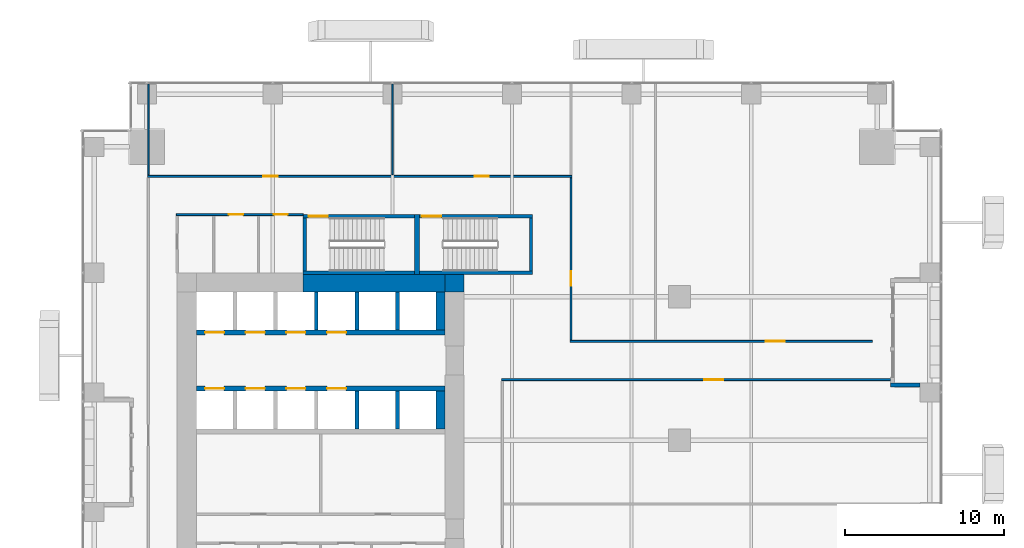
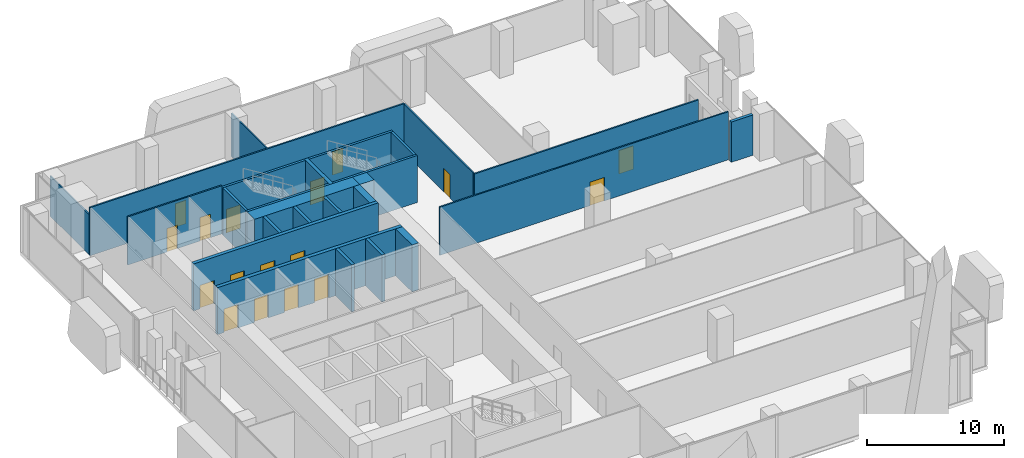
# One storey, part 29 of 35: 26 walls, 17 doors, 17 openings.
"""IFC4 building model written with IfcOpenShell, lengths in metres."""

import ifcopenshell
import ifcopenshell.guid

model = None  # the IFC model being written
_history = None  # IfcOwnerHistory: only IFC2X3 demands one
_inside = {}  # id of a spatial element -> (the spatial element, [elements in it])
_under = {}  # id of a project, library or spatial element -> (it, [spatial elements below it])
_declared = {}  # id of a project -> (the project, [libraries it declares])
_typed = {}  # id of a type object -> (the type object, [elements of that type])
_made_of = {}  # id of a material, layer set ... -> (it, [elements and type objects made of it])


def new_model(schema):
    """Start an empty IFC model of exactly this schema.

    Asked for "IFC4X3", IfcOpenShell would pick the latest addendum, in which some entities
    have other attributes; the version numbers below select the first issue.
    IFC2X3 requires an IfcOwnerHistory on every rooted entity: one is made here for all.
    """
    global model, _history
    if schema == "IFC4X3":
        model = ifcopenshell.file(schema_version=(4, 3, 0, 0))
    else:
        model = ifcopenshell.file(schema=schema)
    _inside.clear()
    _under.clear()
    _declared.clear()
    _typed.clear()
    _made_of.clear()
    _history = None
    if model.schema == "IFC2X3":
        org = make("IfcOrganization", Name="unknown")
        user = make(
            "IfcPersonAndOrganization",
            ThePerson=make("IfcPerson", FamilyName="unknown"),
            TheOrganization=org,
        )
        app = make(
            "IfcApplication",
            ApplicationDeveloper=org,
            Version="unknown",
            ApplicationFullName="unknown",
            ApplicationIdentifier="unknown",
        )
        _history = make(
            "IfcOwnerHistory",
            OwningUser=user,
            OwningApplication=app,
            ChangeAction="ADDED",
            CreationDate=0,
        )
    return model


def make(cls, **values):
    """One entity of the class cls with the attributes given. An attribute that is None is left unset."""
    return model.create_entity(
        cls, **{name: value for name, value in values.items() if value is not None}
    )


def rooted(cls, **values):
    """An entity with a GlobalId (a new one), such as an element, a storey or a relation."""
    return make(cls, GlobalId=ifcopenshell.guid.new(), OwnerHistory=_history, **values)


def si_unit(unit_type, name, prefix=None):
    """IfcSIUnit, for example si_unit("LENGTHUNIT", "METRE", prefix="MILLI")."""
    return make("IfcSIUnit", UnitType=unit_type, Prefix=prefix, Name=name)


def assignment(units):
    """IfcUnitAssignment: the units of a project."""
    return None if units is None else make("IfcUnitAssignment", Units=units)


def point(xyz):
    """IfcCartesianPoint."""
    return None if xyz is None else make("IfcCartesianPoint", Coordinates=xyz)


def direction(xyz):
    """IfcDirection."""
    return None if xyz is None else make("IfcDirection", DirectionRatios=xyz)


def frame(location, z_axis=None, x_axis=None):
    """IfcAxis2Placement3D, a coordinate frame: its origin and axes. An axis left out is left unset."""
    return make(
        "IfcAxis2Placement3D",
        Location=point(location),
        Axis=direction(z_axis),
        RefDirection=direction(x_axis),
    )


def frame_2d(location, x_axis=None):
    """IfcAxis2Placement2D, a coordinate frame in the plane: its origin and x axis."""
    return make(
        "IfcAxis2Placement2D", Location=point(location), RefDirection=direction(x_axis)
    )


def origin():
    """The frame at (0, 0, 0) with its axes left unset."""
    return frame((0.0, 0.0, 0.0))


def place(relative_to, where):
    """IfcLocalPlacement: puts the frame where relative to a parent placement (None: the world)."""
    return make(
        "IfcLocalPlacement", PlacementRelTo=relative_to, RelativePlacement=where
    )


def context(
    kind, dimensions, precision=None, world=None, true_north=None, identifier=None
):
    """IfcGeometricRepresentationContext, for example the 3D "Model" context."""
    return make(
        "IfcGeometricRepresentationContext",
        ContextIdentifier=identifier,
        ContextType=kind,
        CoordinateSpaceDimension=dimensions,
        Precision=precision,
        WorldCoordinateSystem=world,
        TrueNorth=true_north,
    )


def subcontext(parent, identifier, kind, view, scale=None):
    """IfcGeometricRepresentationSubContext, for example "Body" below "Model"."""
    return make(
        "IfcGeometricRepresentationSubContext",
        ContextIdentifier=identifier,
        ContextType=kind,
        ParentContext=parent,
        TargetScale=scale,
        TargetView=view,
    )


def project(units=None, contexts=None):
    """IfcProject with its units and contexts."""
    return rooted(
        "IfcProject",
        Name="project",
        RepresentationContexts=contexts,
        UnitsInContext=assignment(units),
    )


def spatial(cls, under=None, at=None, **own):
    """A site, building, storey or space (cls), placed at a placement, below another one or the project."""
    s = rooted(cls, ObjectPlacement=at, **own)
    if under is not None:
        _under.setdefault(under.id(), (under, []))[1].append(s)
    return s


def profile(cls, at=None, kind="AREA", **sizes):
    """A parametric profile (cls). Its sizes go by their IFC names, for example OverallWidth=200.0."""
    return make(cls, ProfileType=kind, Position=at, **sizes)


def rectangle(**sizes):
    """IfcRectangleProfileDef."""
    return profile("IfcRectangleProfileDef", **sizes)


def extrude(swept, where, along, depth):
    """IfcExtrudedAreaSolid: the profile swept, set in the frame where, extruded along a direction by depth."""
    return make(
        "IfcExtrudedAreaSolid",
        SweptArea=swept,
        Position=where,
        ExtrudedDirection=direction(along),
        Depth=depth,
    )


def shape(context_of_items, identifier, shape_type, items):
    """IfcShapeRepresentation: the items that make up one representation, for example the "Body"."""
    return make(
        "IfcShapeRepresentation",
        ContextOfItems=context_of_items,
        RepresentationIdentifier=identifier,
        RepresentationType=shape_type,
        Items=items,
    )


def source(mapping_origin, context_of_items, identifier, shape_type, items):
    """IfcRepresentationMap: a shape defined once, which mapped items show again and again."""
    return make(
        "IfcRepresentationMap",
        MappingOrigin=mapping_origin,
        MappedRepresentation=shape(context_of_items, identifier, shape_type, items),
    )


def transform(
    local_origin,
    x_axis=None,
    y_axis=None,
    z_axis=None,
    scale=None,
    scale2=None,
    scale3=None,
    uniform=True,
):
    """IfcCartesianTransformationOperator3D, or its non-uniform kind. x_axis, y_axis, z_axis: its Axis1, 2, 3."""
    if uniform:
        return make(
            "IfcCartesianTransformationOperator3D",
            Axis1=direction(x_axis),
            Axis2=direction(y_axis),
            LocalOrigin=point(local_origin),
            Scale=scale,
            Axis3=direction(z_axis),
        )
    return make(
        "IfcCartesianTransformationOperator3DnonUniform",
        Axis1=direction(x_axis),
        Axis2=direction(y_axis),
        LocalOrigin=point(local_origin),
        Scale=scale,
        Axis3=direction(z_axis),
        Scale2=scale2,
        Scale3=scale3,
    )


def mapped(mapping_source, mapping_target):
    """IfcMappedItem: shows the shape of a source again, moved by a transform."""
    return make(
        "IfcMappedItem", MappingSource=mapping_source, MappingTarget=mapping_target
    )


def material(Name=None, Category=None):
    """IfcMaterial."""
    return make("IfcMaterial", Name=Name, Category=Category)


def layer(
    of_material, thickness, ventilated=None, Name=None, Category=None, Priority=None
):
    """IfcMaterialLayer: one layer of a wall or slab, of a material (None: an air gap)."""
    return make(
        "IfcMaterialLayer",
        Material=of_material,
        LayerThickness=thickness,
        IsVentilated=ventilated,
        Name=Name,
        Category=Category,
        Priority=Priority,
    )


def layer_set(layers, Name=None):
    """IfcMaterialLayerSet."""
    return make("IfcMaterialLayerSet", MaterialLayers=layers, LayerSetName=Name)


def made_of(thing, what):
    """Note that an element or type object is made of a material, layer set ...; save() writes the relation."""
    if what is not None:
        _made_of.setdefault(what.id(), (what, []))[1].append(thing)
    return thing


def type_object(cls, material=None, **own):
    """A type object (cls), such as IfcWallType, which elements share."""
    return made_of(rooted(cls, **own), material)


def element(
    cls,
    number,
    at=None,
    inside=None,
    cuts=None,
    type_object=None,
    material=None,
    context=None,
    identifier="Body",
    shape_type=None,
    held_by="IfcProductDefinitionShape",
    body=None,
    shapes=None,
    **own,
):
    """One element of the class cls, such as IfcWall. Its Tag is "e" and its number.

    at: its placement. inside: the storey or other place that contains it. cuts: it is an
    opening in that element (IfcRelVoidsElement). A single representation is given by context,
    identifier, shape_type and body (its items); several are given by shapes. held_by: the class
    of the entity that holds the representations. save() writes the other relations.
    """
    e = rooted(cls, Tag="e%d" % number, ObjectPlacement=at, **own)
    if body is not None:
        shapes = [shape(context, identifier, shape_type, body)]
    if shapes is not None:
        e.Representation = make(held_by, Representations=shapes)
    if inside is not None:
        _inside.setdefault(inside.id(), (inside, []))[1].append(e)
    if cuts is not None:
        rooted(
            "IfcRelVoidsElement", RelatingBuildingElement=cuts, RelatedOpeningElement=e
        )
    if type_object is not None:
        _typed.setdefault(type_object.id(), (type_object, []))[1].append(e)
    return made_of(e, material)


def fill(opening, filler):
    """IfcRelFillsElement: the door or window that sits in an opening."""
    return rooted(
        "IfcRelFillsElement",
        RelatingOpeningElement=opening,
        RelatedBuildingElement=filler,
    )


def aggregate(whole, parts):
    """IfcRelAggregates: a whole, such as a stair, and the parts it consists of."""
    return rooted("IfcRelAggregates", RelatingObject=whole, RelatedObjects=parts)


def save(model, path):
    """Write the relations noted so far, then the file.

    IfcRelAggregates (storeys below a building ...), IfcRelContainedInSpatialStructure (elements
    in a storey), IfcRelDefinesByType, IfcRelAssociatesMaterial and IfcRelDeclares: one each for
    every whole, place, type object, material and project.
    """
    for whole, parts in _under.values():
        aggregate(whole, parts)
    for where, things in _inside.values():
        rooted(
            "IfcRelContainedInSpatialStructure",
            RelatedElements=things,
            RelatingStructure=where,
        )
    for kind, things in _typed.values():
        rooted("IfcRelDefinesByType", RelatedObjects=things, RelatingType=kind)
    for what, things in _made_of.values():
        rooted("IfcRelAssociatesMaterial", RelatedObjects=things, RelatingMaterial=what)
    for by, libraries in _declared.values():
        rooted("IfcRelDeclares", RelatingContext=by, RelatedDefinitions=libraries)
    model.write(path)


model = new_model("IFC4")

# Units and contexts
model_context = context("Model", 3, precision=1e-05, world=origin(), true_north=direction((0.0, 1.0)))
body_context = subcontext(model_context, "Body", "Model", "MODEL_VIEW")
ifc_project = project(units=[si_unit("LENGTHUNIT", "METRE"), si_unit("AREAUNIT", "SQUARE_METRE"), si_unit("VOLUMEUNIT", "CUBIC_METRE"), si_unit("PLANEANGLEUNIT", "RADIAN"), si_unit("MASSUNIT", "GRAM", prefix="KILO")], contexts=[model_context])

# Site, building, storey
site_placement = place(None, origin())
site = spatial("IfcSite", under=ifc_project, at=site_placement, CompositionType="ELEMENT")
building_placement = place(site_placement, origin())
building = spatial("IfcBuilding", under=site, at=building_placement, Name="Khomas Fold Tower", CompositionType="ELEMENT")
storey_placement = place(building_placement, frame((0.0, 0.0, 69.0)))
storey = spatial("IfcBuildingStorey", under=building, at=storey_placement, Name="L14", CompositionType="ELEMENT", Elevation=69.0)

# Walls
ifc_material_1 = material(Name="Concrete C70/85", Category="concrete")
ifc_layer_1 = layer(ifc_material_1, 1.10009765625)
ifc_layer_set_1 = layer_set([ifc_layer_1], Name="Concrete C70/85")
wall_type_1 = type_object("IfcWallType", Name="Core wall 1100", PredefinedType="SHEAR", material=ifc_layer_set_1)
shared_shape_1 = source(origin(), body_context, "Body", "SweptSolid", [
    extrude(rectangle(XDim=8.900146484375, YDim=1.10009765625, at=frame_2d((4.4501953125, 0.0))), origin(), (0.0, 0.0, 1.0), 4.199951171875),
])
wall_1_placement = place(storey_placement, frame((13.89990234375, 41.35009765625, 0.0), z_axis=(0.0, 0.0, 1.0), x_axis=(1.0, 0.0, 0.0)))
element("IfcWall", 1, at=wall_1_placement, inside=storey, type_object=wall_type_1, Name="Core wall CW-L-N-B2-1", PredefinedType="SHEAR", context=body_context, shape_type="MappedRepresentation", body=[
    mapped(shared_shape_1, transform((0.0, 0.0, 0.0))),
])
ifc_material_2 = material(Name="Concrete C70/85", Category="concrete")
ifc_layer_2 = layer(ifc_material_2, 1.10009765625)
ifc_layer_set_2 = layer_set([ifc_layer_2], Name="Concrete C70/85")
wall_type_2 = type_object("IfcWallType", Name="Core corner wall 1100", PredefinedType="SHEAR", material=ifc_layer_set_2)
shared_shape_2 = source(origin(), body_context, "Body", "SweptSolid", [
    extrude(rectangle(XDim=1.199951171875, YDim=1.10009765625, at=frame_2d((0.60009765625, 0.0))), origin(), (0.0, 0.0, 1.0), 4.199951171875),
])
wall_2_placement = place(storey_placement, frame((22.800048828125, 41.35009765625, 0.0), z_axis=(0.0, 0.0, 1.0), x_axis=(1.0, 0.0, 0.0)))
element("IfcWall", 2, at=wall_2_placement, inside=storey, type_object=wall_type_2, Name="Core wall CW-L-NE-B2", PredefinedType="SHEAR", context=body_context, shape_type="MappedRepresentation", body=[
    mapped(shared_shape_2, transform((0.0, 0.0, 0.0))),
])

# Wall, opening, door
ifc_material_3 = material(Name="Concrete C50/60", Category="concrete")
ifc_layer_3 = layer(ifc_material_3, 0.199951171875)
ifc_layer_set_3 = layer_set([ifc_layer_3], Name="Concrete C50/60")
wall_type_3 = type_object("IfcWallType", Name="Stair wall 200", PredefinedType="SHEAR", material=ifc_layer_set_3)
shared_shape_3 = source(origin(), body_context, "Body", "SweptSolid", [
    extrude(rectangle(XDim=7.0, YDim=0.199951171875, at=frame_2d((3.5, 0.0))), origin(), (0.0, 0.0, 1.0), 4.199951171875),
])
wall_3_placement = place(storey_placement, frame((13.89990234375, 45.550048828125, 0.0), z_axis=(0.0, 0.0, 1.0), x_axis=(1.0, 0.0, 0.0)))
wall_3 = element("IfcWall", 3, at=wall_3_placement, inside=storey, type_object=wall_type_3, Name="Stair wall SW-ST1-N", PredefinedType="SHEAR", context=body_context, shape_type="MappedRepresentation", body=[
    mapped(shared_shape_3, transform((0.0, 0.0, 0.0))),
])
shared_shape_4 = source(origin(), body_context, "Body", "SweptSolid", [
    extrude(rectangle(XDim=1.199951171875, YDim=2.10009765625, at=frame_2d((0.60009765625, 1.050048828125))), frame((0.0, 0.10986328125, 0.0), z_axis=(0.0, -1.0, 0.0), x_axis=(1.0, 0.0, 0.0)), (0.0, 0.0, 1.0), 0.219970703125),
])
opening_1_placement = place(wall_3_placement, frame((0.35009765625, 0.0, 0.0)))
opening_1 = element("IfcOpeningElement", 4, at=opening_1_placement, cuts=wall_3, Name="Opening SD-ST1", PredefinedType="OPENING", context=body_context, shape_type="MappedRepresentation", body=[
    mapped(shared_shape_4, transform((0.0, 0.0, 0.0))),
])
ifc_material_4 = material(Name="Steel door leaf", Category="steel")
door_type_1 = type_object("IfcDoorType", Name="Stair door 1200x2100 left-hand", OperationType="SINGLE_SWING_LEFT", PredefinedType="DOOR", material=ifc_material_4)
shared_shape_5 = source(origin(), body_context, "Body", "SweptSolid", [
    extrude(rectangle(XDim=1.199951171875, YDim=2.10009765625, at=frame_2d((0.60009765625, 1.050048828125))), frame((0.0, 0.02490234375, 0.0), z_axis=(0.0, -1.0, 0.0), x_axis=(1.0, 0.0, 0.0)), (0.0, 0.0, 1.0), 0.050048828125),
])
door_1_placement = place(opening_1_placement, origin())
door_1 = element("IfcDoor", 5, at=door_1_placement, inside=storey, type_object=door_type_1, Name="Stair door", OperationType="SINGLE_SWING_LEFT", OverallHeight=2.10009765625, OverallWidth=1.199951171875, PredefinedType="DOOR", context=body_context, shape_type="MappedRepresentation", body=[
    mapped(shared_shape_5, transform((0.0, 0.0, 0.0))),
])
fill(opening_1, door_1)

# Wall
wall_4_placement = place(storey_placement, frame((13.89990234375, 42.0, 0.0), z_axis=(0.0, 0.0, 1.0), x_axis=(1.0, 0.0, 0.0)))
element("IfcWall", 6, at=wall_4_placement, inside=storey, type_object=wall_type_3, Name="Stair wall SW-ST1-S", PredefinedType="SHEAR", context=body_context, shape_type="MappedRepresentation", body=[
    mapped(shared_shape_3, transform((0.0, 0.0, 0.0))),
])

# Wall, opening, door
shared_shape_6 = source(origin(), body_context, "Body", "SweptSolid", [
    extrude(rectangle(XDim=7.10009765625, YDim=0.199951171875, at=frame_2d((3.550048828125, 0.0))), origin(), (0.0, 0.0, 1.0), 4.199951171875),
])
wall_5_placement = place(storey_placement, frame((21.199951171875, 45.550048828125, 0.0), z_axis=(0.0, 0.0, 1.0), x_axis=(1.0, 0.0, 0.0)))
wall_5 = element("IfcWall", 7, at=wall_5_placement, inside=storey, type_object=wall_type_3, Name="Stair wall SW-ST3-N", PredefinedType="SHEAR", context=body_context, shape_type="MappedRepresentation", body=[
    mapped(shared_shape_6, transform((0.0, 0.0, 0.0))),
])
opening_2_placement = place(wall_5_placement, frame((0.14990234375, 0.0, 0.0)))
opening_2 = element("IfcOpeningElement", 8, at=opening_2_placement, cuts=wall_5, Name="Opening SD-ST3", PredefinedType="OPENING", context=body_context, shape_type="MappedRepresentation", body=[
    mapped(shared_shape_4, transform((0.0, 0.0, 0.0))),
])
door_2_placement = place(opening_2_placement, origin())
door_2 = element("IfcDoor", 9, at=door_2_placement, inside=storey, type_object=door_type_1, Name="Stair door", OperationType="SINGLE_SWING_LEFT", OverallHeight=2.10009765625, OverallWidth=1.199951171875, PredefinedType="DOOR", context=body_context, shape_type="MappedRepresentation", body=[
    mapped(shared_shape_5, transform((0.0, 0.0, 0.0))),
])
fill(opening_2, door_2)

# Walls
wall_6_placement = place(storey_placement, frame((21.199951171875, 42.0, 0.0), z_axis=(0.0, 0.0, 1.0), x_axis=(1.0, 0.0, 0.0)))
element("IfcWall", 10, at=wall_6_placement, inside=storey, type_object=wall_type_3, Name="Stair wall SW-ST3-S", PredefinedType="SHEAR", context=body_context, shape_type="MappedRepresentation", body=[
    mapped(shared_shape_6, transform((0.0, 0.0, 0.0))),
])
ifc_material_5 = material(Name="Concrete C50/60", Category="concrete")
ifc_layer_4 = layer(ifc_material_5, 0.300048828125)
ifc_layer_set_4 = layer_set([ifc_layer_4], Name="Concrete C50/60")
wall_type_4 = type_object("IfcWallType", Name="Stair wall 300", PredefinedType="SHEAR", material=ifc_layer_set_4)
shared_shape_7 = source(origin(), body_context, "Body", "SweptSolid", [
    extrude(rectangle(XDim=3.75, YDim=0.300048828125, at=frame_2d((1.875, 0.0))), origin(), (0.0, 0.0, 1.0), 4.199951171875),
])
wall_7_placement = place(storey_placement, frame((21.050048828125, 41.89990234375, 0.0), z_axis=(0.0, 0.0, 1.0), x_axis=(0.0, 1.0, 0.0)))
element("IfcWall", 11, at=wall_7_placement, inside=storey, type_object=wall_type_4, Name="Stair wall SW-ST1-E", PredefinedType="SHEAR", context=body_context, shape_type="MappedRepresentation", body=[
    mapped(shared_shape_7, transform((0.0, 0.0, 0.0))),
])
shared_shape_8 = source(origin(), body_context, "Body", "SweptSolid", [
    extrude(rectangle(XDim=3.349853515625, YDim=0.199951171875, at=frame_2d((1.6748046875, 0.0))), origin(), (0.0, 0.0, 1.0), 4.199951171875),
])
for number, where, z_axis, x_axis, name in (
    (12, (14.0, 42.10009765625, 0.0), (0.0, 0.0, 1.0), (0.0, 1.0, 0.0), "Stair wall SW-ST1-W"),
    (13, (28.199951171875, 42.10009765625, 0.0), (0.0, 0.0, 1.0), (0.0, 1.0, 0.0), "Stair wall SW-ST3-E"),
):
    element("IfcWall", number, at=place(storey_placement, frame(where, z_axis=z_axis, x_axis=x_axis)), inside=storey, type_object=wall_type_3, Name=name, PredefinedType="SHEAR", context=body_context, shape_type="MappedRepresentation", body=[
        mapped(shared_shape_8, transform((0.0, 0.0, 0.0))),
    ])

# Wall, openings, doors
ifc_material_6 = material(Name="Concrete C50/60", Category="concrete")
ifc_layer_5 = layer(ifc_material_6, 0.300048828125)
ifc_layer_set_5 = layer_set([ifc_layer_5], Name="Concrete C50/60")
wall_type_5 = type_object("IfcWallType", Name="Shaft wall 300", PredefinedType="STANDARD", material=ifc_layer_set_5)
shared_shape_9 = source(origin(), body_context, "Body", "SweptSolid", [
    extrude(rectangle(XDim=15.60009765625, YDim=0.300048828125, at=frame_2d((7.800048828125, 0.0))), origin(), (0.0, 0.0, 1.0), 4.199951171875),
])
wall_8_placement = place(storey_placement, frame((7.199951171875, 38.25, 0.0), z_axis=(0.0, 0.0, 1.0), x_axis=(1.0, 0.0, 0.0)))
wall_8 = element("IfcWall", 14, at=wall_8_placement, inside=storey, type_object=wall_type_5, Name="Core wall SW-LRN-F", PredefinedType="STANDARD", context=body_context, shape_type="MappedRepresentation", body=[
    mapped(shared_shape_9, transform((0.0, 0.0, 0.0))),
])
shared_shape_10 = source(origin(), body_context, "Body", "SweptSolid", [
    extrude(rectangle(XDim=1.199951171875, YDim=2.10009765625, at=frame_2d((0.60009765625, 1.050048828125))), frame((0.0, 0.159912109375, 0.0), z_axis=(0.0, -1.0, 0.0), x_axis=(1.0, 0.0, 0.0)), (0.0, 0.0, 1.0), 0.320068359375),
])
opening_3_placement = place(wall_8_placement, frame((0.550048828125, 0.0, 0.0)))
opening_3 = element("IfcOpeningElement", 15, at=opening_3_placement, cuts=wall_8, Name="Opening LD-LR5", PredefinedType="OPENING", context=body_context, shape_type="MappedRepresentation", body=[
    mapped(shared_shape_10, transform((0.0, 0.0, 0.0))),
])
opening_4_placement = place(wall_8_placement, frame((3.10009765625, 0.0, 0.0)))
opening_4 = element("IfcOpeningElement", 16, at=opening_4_placement, cuts=wall_8, Name="Opening LD-LR6", PredefinedType="OPENING", context=body_context, shape_type="MappedRepresentation", body=[
    mapped(shared_shape_10, transform((0.0, 0.0, 0.0))),
])
opening_5_placement = place(wall_8_placement, frame((5.64990234375, 0.0, 0.0)))
opening_5 = element("IfcOpeningElement", 17, at=opening_5_placement, cuts=wall_8, Name="Opening LD-LR7", PredefinedType="OPENING", context=body_context, shape_type="MappedRepresentation", body=[
    mapped(shared_shape_10, transform((0.0, 0.0, 0.0))),
])
opening_6_placement = place(wall_8_placement, frame((8.199951171875, 0.0, 0.0)))
opening_6 = element("IfcOpeningElement", 18, at=opening_6_placement, cuts=wall_8, Name="Opening LD-LR8", PredefinedType="OPENING", context=body_context, shape_type="MappedRepresentation", body=[
    mapped(shared_shape_10, transform((0.0, 0.0, 0.0))),
])
ifc_material_7 = material(Name="Steel door leaf", Category="steel")
door_type_2 = type_object("IfcDoorType", Name="Landing door 1200x2100", OperationType="DOUBLE_DOOR_SLIDING", PredefinedType="DOOR", material=ifc_material_7)
door_3_placement = place(opening_3_placement, origin())
door_3 = element("IfcDoor", 19, at=door_3_placement, inside=storey, type_object=door_type_2, Name="Lift landing door", OperationType="DOUBLE_DOOR_SLIDING", OverallHeight=2.10009765625, OverallWidth=1.199951171875, PredefinedType="DOOR", context=body_context, shape_type="MappedRepresentation", body=[
    mapped(shared_shape_5, transform((0.0, 0.0, 0.0))),
])
fill(opening_3, door_3)
door_4_placement = place(opening_4_placement, origin())
door_4 = element("IfcDoor", 20, at=door_4_placement, inside=storey, type_object=door_type_2, Name="Lift landing door", OperationType="DOUBLE_DOOR_SLIDING", OverallHeight=2.10009765625, OverallWidth=1.199951171875, PredefinedType="DOOR", context=body_context, shape_type="MappedRepresentation", body=[
    mapped(shared_shape_5, transform((0.0, 0.0, 0.0))),
])
fill(opening_4, door_4)
door_5_placement = place(opening_5_placement, origin())
door_5 = element("IfcDoor", 21, at=door_5_placement, inside=storey, type_object=door_type_2, Name="Lift landing door", OperationType="DOUBLE_DOOR_SLIDING", OverallHeight=2.10009765625, OverallWidth=1.199951171875, PredefinedType="DOOR", context=body_context, shape_type="MappedRepresentation", body=[
    mapped(shared_shape_5, transform((0.0, 0.0, 0.0))),
])
fill(opening_5, door_5)
door_6_placement = place(opening_6_placement, origin())
door_6 = element("IfcDoor", 22, at=door_6_placement, inside=storey, type_object=door_type_2, Name="Lift landing door", OperationType="DOUBLE_DOOR_SLIDING", OverallHeight=2.10009765625, OverallWidth=1.199951171875, PredefinedType="DOOR", context=body_context, shape_type="MappedRepresentation", body=[
    mapped(shared_shape_5, transform((0.0, 0.0, 0.0))),
])
fill(opening_6, door_6)

wall_9_placement = place(storey_placement, frame((7.199951171875, 34.75, 0.0), z_axis=(0.0, 0.0, 1.0), x_axis=(1.0, 0.0, 0.0)))
wall_9 = element("IfcWall", 23, at=wall_9_placement, inside=storey, type_object=wall_type_5, Name="Core wall SW-LRS-F", PredefinedType="STANDARD", context=body_context, shape_type="MappedRepresentation", body=[
    mapped(shared_shape_9, transform((0.0, 0.0, 0.0))),
])
opening_7_placement = place(wall_9_placement, frame((0.550048828125, 0.0, 0.0)))
opening_7 = element("IfcOpeningElement", 24, at=opening_7_placement, cuts=wall_9, Name="Opening LD-LR1", PredefinedType="OPENING", context=body_context, shape_type="MappedRepresentation", body=[
    mapped(shared_shape_10, transform((0.0, 0.0, 0.0))),
])
opening_8_placement = place(wall_9_placement, frame((3.10009765625, 0.0, 0.0)))
opening_8 = element("IfcOpeningElement", 25, at=opening_8_placement, cuts=wall_9, Name="Opening LD-LR2", PredefinedType="OPENING", context=body_context, shape_type="MappedRepresentation", body=[
    mapped(shared_shape_10, transform((0.0, 0.0, 0.0))),
])
opening_9_placement = place(wall_9_placement, frame((5.64990234375, 0.0, 0.0)))
opening_9 = element("IfcOpeningElement", 26, at=opening_9_placement, cuts=wall_9, Name="Opening LD-LR3", PredefinedType="OPENING", context=body_context, shape_type="MappedRepresentation", body=[
    mapped(shared_shape_10, transform((0.0, 0.0, 0.0))),
])
opening_10_placement = place(wall_9_placement, frame((8.199951171875, 0.0, 0.0)))
opening_10 = element("IfcOpeningElement", 27, at=opening_10_placement, cuts=wall_9, Name="Opening LD-LR4", PredefinedType="OPENING", context=body_context, shape_type="MappedRepresentation", body=[
    mapped(shared_shape_10, transform((0.0, 0.0, 0.0))),
])
door_7_placement = place(opening_7_placement, origin())
door_7 = element("IfcDoor", 28, at=door_7_placement, inside=storey, type_object=door_type_2, Name="Lift landing door", OperationType="DOUBLE_DOOR_SLIDING", OverallHeight=2.10009765625, OverallWidth=1.199951171875, PredefinedType="DOOR", context=body_context, shape_type="MappedRepresentation", body=[
    mapped(shared_shape_5, transform((0.0, 0.0, 0.0))),
])
fill(opening_7, door_7)
door_8_placement = place(opening_8_placement, origin())
door_8 = element("IfcDoor", 29, at=door_8_placement, inside=storey, type_object=door_type_2, Name="Lift landing door", OperationType="DOUBLE_DOOR_SLIDING", OverallHeight=2.10009765625, OverallWidth=1.199951171875, PredefinedType="DOOR", context=body_context, shape_type="MappedRepresentation", body=[
    mapped(shared_shape_5, transform((0.0, 0.0, 0.0))),
])
fill(opening_8, door_8)
door_9_placement = place(opening_9_placement, origin())
door_9 = element("IfcDoor", 30, at=door_9_placement, inside=storey, type_object=door_type_2, Name="Lift landing door", OperationType="DOUBLE_DOOR_SLIDING", OverallHeight=2.10009765625, OverallWidth=1.199951171875, PredefinedType="DOOR", context=body_context, shape_type="MappedRepresentation", body=[
    mapped(shared_shape_5, transform((0.0, 0.0, 0.0))),
])
fill(opening_9, door_9)
door_10_placement = place(opening_10_placement, origin())
door_10 = element("IfcDoor", 31, at=door_10_placement, inside=storey, type_object=door_type_2, Name="Lift landing door", OperationType="DOUBLE_DOOR_SLIDING", OverallHeight=2.10009765625, OverallWidth=1.199951171875, PredefinedType="DOOR", context=body_context, shape_type="MappedRepresentation", body=[
    mapped(shared_shape_5, transform((0.0, 0.0, 0.0))),
])
fill(opening_10, door_10)

# Walls
ifc_material_8 = material(Name="Concrete C50/60", Category="concrete")
ifc_layer_6 = layer(ifc_material_8, 0.25)
ifc_layer_set_6 = layer_set([ifc_layer_6], Name="Concrete C50/60")
wall_type_6 = type_object("IfcWallType", Name="Shaft wall 250", PredefinedType="STANDARD", material=ifc_layer_set_6)
shared_shape_11 = source(origin(), body_context, "Body", "SweptSolid", [
    extrude(rectangle(XDim=2.400146484375, YDim=0.25, at=frame_2d((1.2001953125, 0.0))), origin(), (0.0, 0.0, 1.0), 4.199951171875),
])
for number, where, z_axis, x_axis, name in (
    (32, (14.72509765625, 38.39990234375, 0.0), (0.0, 0.0, 1.0), (0.0, 1.0, 0.0), "Core wall SW-LRN-P3"),
    (33, (17.27490234375, 38.39990234375, 0.0), (0.0, 0.0, 1.0), (0.0, 1.0, 0.0), "Core wall SW-LRN-P4"),
    (34, (19.824951171875, 38.39990234375, 0.0), (0.0, 0.0, 1.0), (0.0, 1.0, 0.0), "Core wall SW-LRN-P5"),
    (35, (17.27490234375, 32.199951171875, 0.0), (0.0, 0.0, 1.0), (0.0, 1.0, 0.0), "Core wall SW-LRS-P4"),
    (36, (19.824951171875, 32.199951171875, 0.0), (0.0, 0.0, 1.0), (0.0, 1.0, 0.0), "Core wall SW-LRS-P5"),
):
    element("IfcWall", number, at=place(storey_placement, frame(where, z_axis=z_axis, x_axis=x_axis)), inside=storey, type_object=wall_type_6, Name=name, PredefinedType="STANDARD", context=body_context, shape_type="MappedRepresentation", body=[
        mapped(shared_shape_11, transform((0.0, 0.0, 0.0))),
    ])
ifc_material_9 = material(Name="Concrete C50/60", Category="concrete")
ifc_layer_7 = layer(ifc_material_9, 0.550048828125)
ifc_layer_set_7 = layer_set([ifc_layer_7], Name="Concrete C50/60")
wall_type_7 = type_object("IfcWallType", Name="Shaft wall 550", PredefinedType="STANDARD", material=ifc_layer_set_7)
shared_shape_12 = source(origin(), body_context, "Body", "SweptSolid", [
    extrude(rectangle(XDim=2.400146484375, YDim=0.550048828125, at=frame_2d((1.2001953125, 0.0))), origin(), (0.0, 0.0, 1.0), 4.199951171875),
])
for number, where, z_axis, x_axis, name in (
    (37, (22.52490234375, 38.39990234375, 0.0), (0.0, 0.0, 1.0), (0.0, 1.0, 0.0), "Core wall SW-LRN-PE"),
    (38, (22.52490234375, 32.199951171875, 0.0), (0.0, 0.0, 1.0), (0.0, 1.0, 0.0), "Core wall SW-LRS-PE"),
):
    element("IfcWall", number, at=place(storey_placement, frame(where, z_axis=z_axis, x_axis=x_axis)), inside=storey, type_object=wall_type_7, Name=name, PredefinedType="STANDARD", context=body_context, shape_type="MappedRepresentation", body=[
        mapped(shared_shape_12, transform((0.0, 0.0, 0.0))),
    ])
ifc_material_10 = material(Name="Natural stone", Category="masonry")
ifc_layer_8 = layer(ifc_material_10, 0.0400390625)
ifc_material_11 = material(Name="Mineral wool insulation", Category="insulation")
ifc_layer_9 = layer(ifc_material_11, 0.10009765625)
ifc_material_12 = material(Name="Masonry", Category="masonry")
ifc_layer_10 = layer(ifc_material_12, 0.110107421875)
ifc_layer_set_8 = layer_set([ifc_layer_8, ifc_layer_9, ifc_layer_10], Name="Stone-faced insulated masonry")
wall_type_8 = type_object("IfcWallType", Name="BL-Balcony wall", PredefinedType="SOLIDWALL", material=ifc_layer_set_8)
shared_shape_13 = source(origin(), body_context, "Body", "SweptSolid", [
    extrude(rectangle(XDim=1.85009765625, YDim=0.25, at=frame_2d((0.925048828125, 0.0))), origin(), (0.0, 0.0, 1.0), 3.60009765625),
])
wall_10_placement = place(storey_placement, frame((52.60009765625, 34.97509765625, 0.0), z_axis=(0.0, 0.0, 1.0), x_axis=(-1.0, 0.0, 0.0)))
element("IfcWall", 39, at=wall_10_placement, inside=storey, type_object=wall_type_8, Name="Balcony return wall BAL-L14-E4-lo", PredefinedType="SOLIDWALL", context=body_context, shape_type="MappedRepresentation", body=[
    mapped(shared_shape_13, transform((0.0, 0.0, 0.0))),
])

# Wall, opening, door
ifc_material_13 = material(Name="Plasterboard partition")
ifc_layer_11 = layer(ifc_material_13, 0.125)
ifc_layer_set_9 = layer_set([ifc_layer_11], Name="Plasterboard partition")
wall_type_9 = type_object("IfcWallType", Name="Partition PW2 125", PredefinedType="PARTITIONING", material=ifc_layer_set_9)
shared_shape_14 = source(origin(), body_context, "Body", "SweptSolid", [
    extrude(rectangle(XDim=10.14990234375, YDim=0.125, at=frame_2d((5.074951171875, 0.0))), origin(), (0.0, 0.0, 1.0), 4.300048828125),
])
wall_11_placement = place(storey_placement, frame((30.699951171875, 37.800048828125, 0.0), z_axis=(0.0, 0.0, 1.0), x_axis=(0.0, 1.0, 0.0)))
wall_11 = element("IfcWall", 40, at=wall_11_placement, inside=storey, type_object=wall_type_9, Name="Partition", PredefinedType="PARTITIONING", context=body_context, shape_type="MappedRepresentation", body=[
    mapped(shared_shape_14, transform((0.0, 0.0, 0.0))),
])
shared_shape_15 = source(origin(), body_context, "Body", "SweptSolid", [
    extrude(rectangle(XDim=0.89990234375, YDim=2.10009765625, at=frame_2d((0.449951171875, 1.050048828125))), frame((0.0, 0.072509765625, 0.0), z_axis=(0.0, -1.0, 0.0), x_axis=(1.0, 0.0, 0.0)), (0.0, 0.0, 1.0), 0.14501953125),
])
opening_11_placement = place(wall_11_placement, frame((3.39990234375, 0.0, 0.0)))
opening_11 = element("IfcOpeningElement", 41, at=opening_11_placement, cuts=wall_11, Name="Opening 0007", PredefinedType="OPENING", context=body_context, shape_type="MappedRepresentation", body=[
    mapped(shared_shape_15, transform((0.0, 0.0, 0.0))),
])
ifc_material_14 = material(Name="Timber door leaf", Category="wood")
door_type_3 = type_object("IfcDoorType", Name="Door 900x2100 left-hand", OperationType="SINGLE_SWING_LEFT", PredefinedType="DOOR", material=ifc_material_14)
shared_shape_16 = source(origin(), body_context, "Body", "SweptSolid", [
    extrude(rectangle(XDim=0.89990234375, YDim=2.10009765625, at=frame_2d((0.449951171875, 1.050048828125))), frame((0.0, 0.02490234375, 0.0), z_axis=(0.0, -1.0, 0.0), x_axis=(1.0, 0.0, 0.0)), (0.0, 0.0, 1.0), 0.050048828125),
])
door_11_placement = place(opening_11_placement, origin())
door_11 = element("IfcDoor", 42, at=door_11_placement, inside=storey, type_object=door_type_3, Name="Door", OperationType="SINGLE_SWING_LEFT", OverallHeight=2.10009765625, OverallWidth=0.89990234375, PredefinedType="DOOR", context=body_context, shape_type="MappedRepresentation", body=[
    mapped(shared_shape_16, transform((0.0, 0.0, 0.0))),
])
fill(opening_11, door_11)

# Wall, openings, doors
shared_shape_17 = source(origin(), body_context, "Body", "SweptSolid", [
    extrude(rectangle(XDim=7.949951171875, YDim=0.125, at=frame_2d((3.97509765625, 0.0))), origin(), (0.0, 0.0, 1.0), 4.300048828125),
])
wall_12_placement = place(storey_placement, frame((5.949951171875, 45.64990234375, 0.0), z_axis=(0.0, 0.0, 1.0), x_axis=(1.0, 0.0, 0.0)))
wall_12 = element("IfcWall", 43, at=wall_12_placement, inside=storey, type_object=wall_type_9, Name="Partition", PredefinedType="PARTITIONING", context=body_context, shape_type="MappedRepresentation", body=[
    mapped(shared_shape_17, transform((0.0, 0.0, 0.0))),
])
opening_12_placement = place(wall_12_placement, frame((3.300048828125, 0.0, 0.0)))
opening_12 = element("IfcOpeningElement", 44, at=opening_12_placement, cuts=wall_12, Name="Opening 0007", PredefinedType="OPENING", context=body_context, shape_type="MappedRepresentation", body=[
    mapped(shared_shape_15, transform((0.0, 0.0, 0.0))),
])
opening_13_placement = place(wall_12_placement, frame((6.10009765625, 0.0, 0.0)))
opening_13 = element("IfcOpeningElement", 45, at=opening_13_placement, cuts=wall_12, Name="Opening 0008", PredefinedType="OPENING", context=body_context, shape_type="MappedRepresentation", body=[
    mapped(shared_shape_15, transform((0.0, 0.0, 0.0))),
])
door_12_placement = place(opening_12_placement, origin())
door_12 = element("IfcDoor", 46, at=door_12_placement, inside=storey, type_object=door_type_3, Name="Door", OperationType="SINGLE_SWING_LEFT", OverallHeight=2.10009765625, OverallWidth=0.89990234375, PredefinedType="DOOR", context=body_context, shape_type="MappedRepresentation", body=[
    mapped(shared_shape_16, transform((0.0, 0.0, 0.0))),
])
fill(opening_12, door_12)
ifc_material_15 = material(Name="Timber door leaf", Category="wood")
door_type_4 = type_object("IfcDoorType", Name="Door 900x2100 right-hand", OperationType="SINGLE_SWING_RIGHT", PredefinedType="DOOR", material=ifc_material_15)
door_13_placement = place(opening_13_placement, origin())
door_13 = element("IfcDoor", 47, at=door_13_placement, inside=storey, type_object=door_type_4, Name="Door", OperationType="SINGLE_SWING_RIGHT", OverallHeight=2.10009765625, OverallWidth=0.89990234375, PredefinedType="DOOR", context=body_context, shape_type="MappedRepresentation", body=[
    mapped(shared_shape_16, transform((0.0, 0.0, 0.0))),
])
fill(opening_13, door_13)

# Wall
ifc_material_16 = material(Name="Plasterboard partition")
ifc_layer_12 = layer(ifc_material_16, 0.10009765625)
ifc_layer_set_10 = layer_set([ifc_layer_12], Name="Plasterboard partition")
wall_type_10 = type_object("IfcWallType", Name="Partition PW1 100", PredefinedType="PARTITIONING", material=ifc_layer_set_10)
shared_shape_18 = source(origin(), body_context, "Body", "SweptSolid", [
    extrude(rectangle(XDim=5.7001953125, YDim=0.10009765625, at=frame_2d((2.85009765625, 0.0))), origin(), (0.0, 0.0, 1.0), 3.840087890625),
])
wall_13_placement = place(storey_placement, frame((19.5, 48.14990234375, 0.0), z_axis=(0.0, 0.0, 1.0), x_axis=(0.0, 1.0, 0.0)))
element("IfcWall", 48, at=wall_13_placement, inside=storey, type_object=wall_type_10, Name="Partition", PredefinedType="PARTITIONING", context=body_context, shape_type="MappedRepresentation", body=[
    mapped(shared_shape_18, transform((0.0, 0.0, 0.0))),
])

# Wall, openings, doors
shared_shape_19 = source(origin(), body_context, "Body", "SweptSolid", [
    extrude(rectangle(XDim=26.60009765625, YDim=0.125, at=frame_2d((13.300048828125, 0.0))), origin(), (0.0, 0.0, 1.0), 4.300048828125),
])
wall_14_placement = place(storey_placement, frame((4.14990234375, 48.050048828125, 0.0), z_axis=(0.0, 0.0, 1.0), x_axis=(1.0, 0.0, 0.0)))
wall_14 = element("IfcWall", 49, at=wall_14_placement, inside=storey, type_object=wall_type_9, Name="Partition", PredefinedType="PARTITIONING", context=body_context, shape_type="MappedRepresentation", body=[
    mapped(shared_shape_19, transform((0.0, 0.0, 0.0))),
])
opening_14_placement = place(wall_14_placement, frame((7.25, 0.0, 0.0)))
opening_14 = element("IfcOpeningElement", 50, at=opening_14_placement, cuts=wall_14, Name="Opening 0007", PredefinedType="OPENING", context=body_context, shape_type="MappedRepresentation", body=[
    mapped(shared_shape_15, transform((0.0, 0.0, 0.0))),
])
opening_15_placement = place(wall_14_placement, frame((20.5, 0.0, 0.0)))
opening_15 = element("IfcOpeningElement", 51, at=opening_15_placement, cuts=wall_14, Name="Opening 0008", PredefinedType="OPENING", context=body_context, shape_type="MappedRepresentation", body=[
    mapped(shared_shape_15, transform((0.0, 0.0, 0.0))),
])
door_14_placement = place(opening_14_placement, origin())
door_14 = element("IfcDoor", 52, at=door_14_placement, inside=storey, type_object=door_type_3, Name="Door", OperationType="SINGLE_SWING_LEFT", OverallHeight=2.10009765625, OverallWidth=0.89990234375, PredefinedType="DOOR", context=body_context, shape_type="MappedRepresentation", body=[
    mapped(shared_shape_16, transform((0.0, 0.0, 0.0))),
])
fill(opening_14, door_14)
door_15_placement = place(opening_15_placement, origin())
door_15 = element("IfcDoor", 53, at=door_15_placement, inside=storey, type_object=door_type_4, Name="Door", OperationType="SINGLE_SWING_RIGHT", OverallHeight=2.10009765625, OverallWidth=0.89990234375, PredefinedType="DOOR", context=body_context, shape_type="MappedRepresentation", body=[
    mapped(shared_shape_16, transform((0.0, 0.0, 0.0))),
])
fill(opening_15, door_15)

# Wall
shared_shape_20 = source(origin(), body_context, "Body", "SweptSolid", [
    extrude(rectangle(XDim=5.7001953125, YDim=0.10009765625, at=frame_2d((2.85009765625, 0.0))), origin(), (0.0, 0.0, 1.0), 3.60009765625),
])
wall_15_placement = place(storey_placement, frame((4.199951171875, 48.14990234375, 0.0), z_axis=(0.0, 0.0, 1.0), x_axis=(0.0, 1.0, 0.0)))
element("IfcWall", 54, at=wall_15_placement, inside=storey, type_object=wall_type_10, Name="Partition", PredefinedType="PARTITIONING", context=body_context, shape_type="MappedRepresentation", body=[
    mapped(shared_shape_20, transform((0.0, 0.0, 0.0))),
])

# Wall, opening, door
shared_shape_21 = source(origin(), body_context, "Body", "SweptSolid", [
    extrude(rectangle(XDim=24.39990234375, YDim=0.125, at=frame_2d((12.199951171875, 0.0))), origin(), (0.0, 0.0, 1.0), 4.300048828125),
])
wall_16_placement = place(storey_placement, frame((26.35009765625, 35.300048828125, 0.0), z_axis=(0.0, 0.0, 1.0), x_axis=(1.0, 0.0, 0.0)))
wall_16 = element("IfcWall", 55, at=wall_16_placement, inside=storey, type_object=wall_type_9, Name="Partition", PredefinedType="PARTITIONING", context=body_context, shape_type="MappedRepresentation", body=[
    mapped(shared_shape_21, transform((0.0, 0.0, 0.0))),
])
shared_shape_22 = source(origin(), body_context, "Body", "SweptSolid", [
    extrude(rectangle(XDim=1.199951171875, YDim=2.10009765625, at=frame_2d((0.60009765625, 1.050048828125))), frame((0.0, 0.072509765625, 0.0), z_axis=(0.0, -1.0, 0.0), x_axis=(1.0, 0.0, 0.0)), (0.0, 0.0, 1.0), 0.14501953125),
])
opening_16_placement = place(wall_16_placement, frame((12.699951171875, 0.0, 0.0)))
opening_16 = element("IfcOpeningElement", 56, at=opening_16_placement, cuts=wall_16, Name="Opening 0013", PredefinedType="OPENING", context=body_context, shape_type="MappedRepresentation", body=[
    mapped(shared_shape_22, transform((0.0, 0.0, 0.0))),
])
ifc_material_17 = material(Name="Timber door leaf", Category="wood")
door_type_5 = type_object("IfcDoorType", Name="Door 1200x2100 left-hand", OperationType="SINGLE_SWING_LEFT", PredefinedType="DOOR", material=ifc_material_17)
door_16_placement = place(opening_16_placement, origin())
door_16 = element("IfcDoor", 57, at=door_16_placement, inside=storey, type_object=door_type_5, Name="Door", OperationType="SINGLE_SWING_LEFT", OverallHeight=2.10009765625, OverallWidth=1.199951171875, PredefinedType="DOOR", context=body_context, shape_type="MappedRepresentation", body=[
    mapped(shared_shape_5, transform((0.0, 0.0, 0.0))),
])
fill(opening_16, door_16)

shared_shape_23 = source(origin(), body_context, "Body", "SweptSolid", [
    extrude(rectangle(XDim=18.9501953125, YDim=0.125, at=frame_2d((9.47509765625, 0.0))), origin(), (0.0, 0.0, 1.0), 4.300048828125),
])
wall_17_placement = place(storey_placement, frame((30.64990234375, 37.699951171875, 0.0), z_axis=(0.0, 0.0, 1.0), x_axis=(1.0, 0.0, 0.0)))
wall_17 = element("IfcWall", 58, at=wall_17_placement, inside=storey, type_object=wall_type_9, Name="Partition", PredefinedType="PARTITIONING", context=body_context, shape_type="MappedRepresentation", body=[
    mapped(shared_shape_23, transform((0.0, 0.0, 0.0))),
])
opening_17_placement = place(wall_17_placement, frame((12.25, 0.0, 0.0)))
opening_17 = element("IfcOpeningElement", 59, at=opening_17_placement, cuts=wall_17, Name="Opening 0001", PredefinedType="OPENING", context=body_context, shape_type="MappedRepresentation", body=[
    mapped(shared_shape_22, transform((0.0, 0.0, 0.0))),
])
ifc_material_18 = material(Name="Timber door leaf", Category="wood")
door_type_6 = type_object("IfcDoorType", Name="Door 1200x2100 right-hand", OperationType="SINGLE_SWING_RIGHT", PredefinedType="DOOR", material=ifc_material_18)
door_17_placement = place(opening_17_placement, origin())
door_17 = element("IfcDoor", 60, at=door_17_placement, inside=storey, type_object=door_type_6, Name="Door", OperationType="SINGLE_SWING_RIGHT", OverallHeight=2.10009765625, OverallWidth=1.199951171875, PredefinedType="DOOR", context=body_context, shape_type="MappedRepresentation", body=[
    mapped(shared_shape_5, transform((0.0, 0.0, 0.0))),
])
fill(opening_17, door_17)

save(model, "model.ifc")
